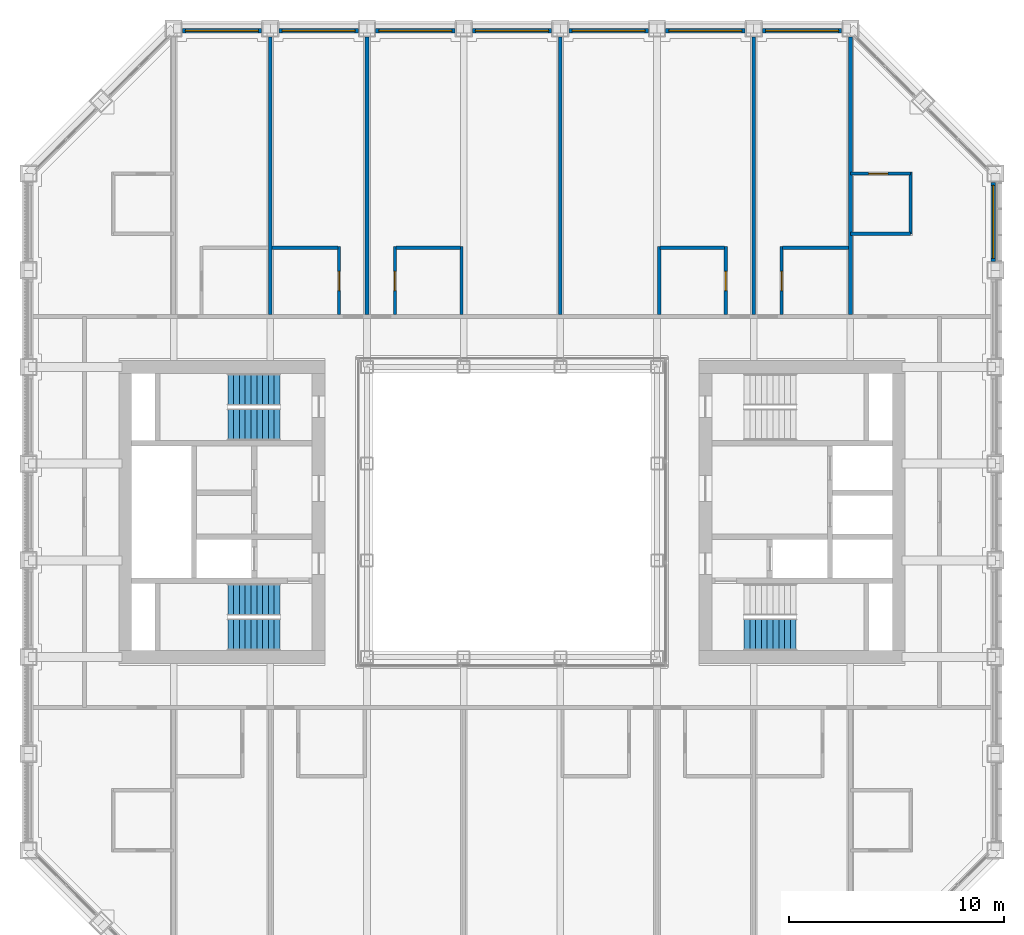
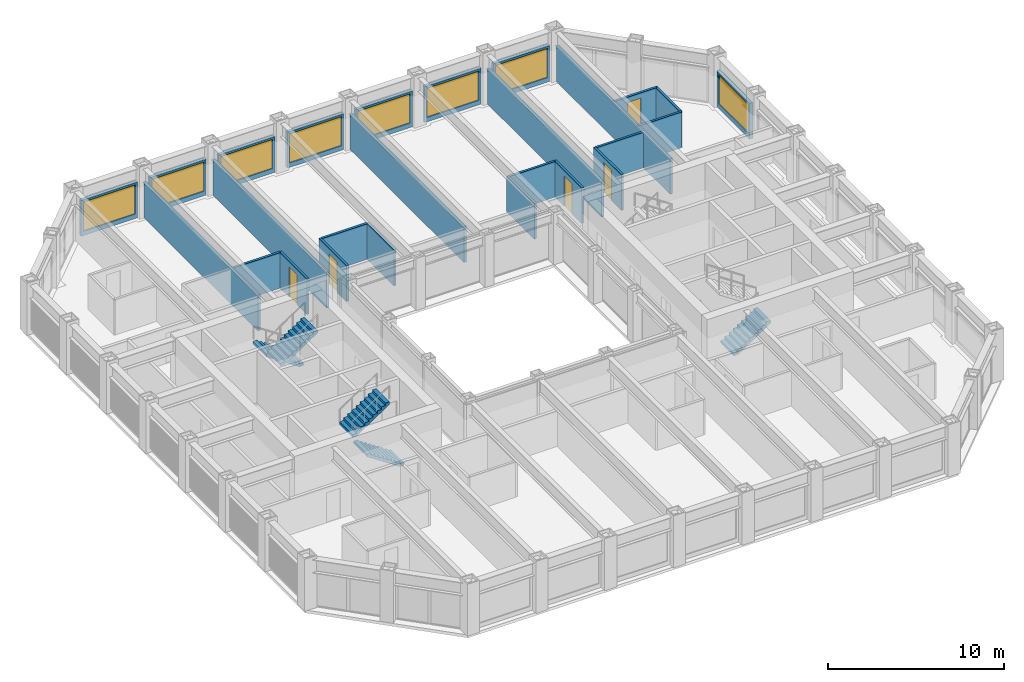
# One storey, part 13 of 17: 26 walls, 8 windows, 5 doors, 5 stair flights, 13 openings, 3 elements without a shape of their own.
"""IFC4 building model written with IfcOpenShell, lengths in metres."""

import ifcopenshell
import ifcopenshell.guid

model = None  # the IFC model being written
_history = None  # IfcOwnerHistory: only IFC2X3 demands one
_inside = {}  # id of a spatial element -> (the spatial element, [elements in it])
_under = {}  # id of a project, library or spatial element -> (it, [spatial elements below it])
_declared = {}  # id of a project -> (the project, [libraries it declares])
_typed = {}  # id of a type object -> (the type object, [elements of that type])
_made_of = {}  # id of a material, layer set ... -> (it, [elements and type objects made of it])


def new_model(schema):
    """Start an empty IFC model of exactly this schema.

    Asked for "IFC4X3", IfcOpenShell would pick the latest addendum, in which some entities
    have other attributes; the version numbers below select the first issue.
    IFC2X3 requires an IfcOwnerHistory on every rooted entity: one is made here for all.
    """
    global model, _history
    if schema == "IFC4X3":
        model = ifcopenshell.file(schema_version=(4, 3, 0, 0))
    else:
        model = ifcopenshell.file(schema=schema)
    _inside.clear()
    _under.clear()
    _declared.clear()
    _typed.clear()
    _made_of.clear()
    _history = None
    if model.schema == "IFC2X3":
        org = make("IfcOrganization", Name="unknown")
        user = make(
            "IfcPersonAndOrganization",
            ThePerson=make("IfcPerson", FamilyName="unknown"),
            TheOrganization=org,
        )
        app = make(
            "IfcApplication",
            ApplicationDeveloper=org,
            Version="unknown",
            ApplicationFullName="unknown",
            ApplicationIdentifier="unknown",
        )
        _history = make(
            "IfcOwnerHistory",
            OwningUser=user,
            OwningApplication=app,
            ChangeAction="ADDED",
            CreationDate=0,
        )
    return model


def make(cls, **values):
    """One entity of the class cls with the attributes given. An attribute that is None is left unset."""
    return model.create_entity(
        cls, **{name: value for name, value in values.items() if value is not None}
    )


def rooted(cls, **values):
    """An entity with a GlobalId (a new one), such as an element, a storey or a relation."""
    return make(cls, GlobalId=ifcopenshell.guid.new(), OwnerHistory=_history, **values)


def si_unit(unit_type, name, prefix=None):
    """IfcSIUnit, for example si_unit("LENGTHUNIT", "METRE", prefix="MILLI")."""
    return make("IfcSIUnit", UnitType=unit_type, Prefix=prefix, Name=name)


def assignment(units):
    """IfcUnitAssignment: the units of a project."""
    return None if units is None else make("IfcUnitAssignment", Units=units)


def point(xyz):
    """IfcCartesianPoint."""
    return None if xyz is None else make("IfcCartesianPoint", Coordinates=xyz)


def direction(xyz):
    """IfcDirection."""
    return None if xyz is None else make("IfcDirection", DirectionRatios=xyz)


def frame(location, z_axis=None, x_axis=None):
    """IfcAxis2Placement3D, a coordinate frame: its origin and axes. An axis left out is left unset."""
    return make(
        "IfcAxis2Placement3D",
        Location=point(location),
        Axis=direction(z_axis),
        RefDirection=direction(x_axis),
    )


def frame_2d(location, x_axis=None):
    """IfcAxis2Placement2D, a coordinate frame in the plane: its origin and x axis."""
    return make(
        "IfcAxis2Placement2D", Location=point(location), RefDirection=direction(x_axis)
    )


def origin():
    """The frame at (0, 0, 0) with its axes left unset."""
    return frame((0.0, 0.0, 0.0))


def place(relative_to, where):
    """IfcLocalPlacement: puts the frame where relative to a parent placement (None: the world)."""
    return make(
        "IfcLocalPlacement", PlacementRelTo=relative_to, RelativePlacement=where
    )


def context(
    kind, dimensions, precision=None, world=None, true_north=None, identifier=None
):
    """IfcGeometricRepresentationContext, for example the 3D "Model" context."""
    return make(
        "IfcGeometricRepresentationContext",
        ContextIdentifier=identifier,
        ContextType=kind,
        CoordinateSpaceDimension=dimensions,
        Precision=precision,
        WorldCoordinateSystem=world,
        TrueNorth=true_north,
    )


def subcontext(parent, identifier, kind, view, scale=None):
    """IfcGeometricRepresentationSubContext, for example "Body" below "Model"."""
    return make(
        "IfcGeometricRepresentationSubContext",
        ContextIdentifier=identifier,
        ContextType=kind,
        ParentContext=parent,
        TargetScale=scale,
        TargetView=view,
    )


def project(units=None, contexts=None):
    """IfcProject with its units and contexts."""
    return rooted(
        "IfcProject",
        Name="project",
        RepresentationContexts=contexts,
        UnitsInContext=assignment(units),
    )


def spatial(cls, under=None, at=None, **own):
    """A site, building, storey or space (cls), placed at a placement, below another one or the project."""
    s = rooted(cls, ObjectPlacement=at, **own)
    if under is not None:
        _under.setdefault(under.id(), (under, []))[1].append(s)
    return s


def polyline(points):
    """IfcPolyline through the points."""
    return make("IfcPolyline", Points=[point(p) for p in points])


def profile(cls, at=None, kind="AREA", **sizes):
    """A parametric profile (cls). Its sizes go by their IFC names, for example OverallWidth=200.0."""
    return make(cls, ProfileType=kind, Position=at, **sizes)


def rectangle(**sizes):
    """IfcRectangleProfileDef."""
    return profile("IfcRectangleProfileDef", **sizes)


def outline(outer, holes=None, kind="AREA"):
    """IfcArbitraryClosedProfileDef: a profile drawn as a closed curve; with holes, ...WithVoids."""
    if holes is None:
        return make("IfcArbitraryClosedProfileDef", ProfileType=kind, OuterCurve=outer)
    return make(
        "IfcArbitraryProfileDefWithVoids",
        ProfileType=kind,
        OuterCurve=outer,
        InnerCurves=holes,
    )


def extrude(swept, where, along, depth):
    """IfcExtrudedAreaSolid: the profile swept, set in the frame where, extruded along a direction by depth."""
    return make(
        "IfcExtrudedAreaSolid",
        SweptArea=swept,
        Position=where,
        ExtrudedDirection=direction(along),
        Depth=depth,
    )


def shape(context_of_items, identifier, shape_type, items):
    """IfcShapeRepresentation: the items that make up one representation, for example the "Body"."""
    return make(
        "IfcShapeRepresentation",
        ContextOfItems=context_of_items,
        RepresentationIdentifier=identifier,
        RepresentationType=shape_type,
        Items=items,
    )


def material(Name=None, Category=None):
    """IfcMaterial."""
    return make("IfcMaterial", Name=Name, Category=Category)


def layer(
    of_material, thickness, ventilated=None, Name=None, Category=None, Priority=None
):
    """IfcMaterialLayer: one layer of a wall or slab, of a material (None: an air gap)."""
    return make(
        "IfcMaterialLayer",
        Material=of_material,
        LayerThickness=thickness,
        IsVentilated=ventilated,
        Name=Name,
        Category=Category,
        Priority=Priority,
    )


def layer_set(layers, Name=None):
    """IfcMaterialLayerSet."""
    return make("IfcMaterialLayerSet", MaterialLayers=layers, LayerSetName=Name)


def made_of(thing, what):
    """Note that an element or type object is made of a material, layer set ...; save() writes the relation."""
    if what is not None:
        _made_of.setdefault(what.id(), (what, []))[1].append(thing)
    return thing


def type_object(cls, material=None, **own):
    """A type object (cls), such as IfcWallType, which elements share."""
    return made_of(rooted(cls, **own), material)


def element(
    cls,
    number,
    at=None,
    inside=None,
    cuts=None,
    type_object=None,
    material=None,
    context=None,
    identifier="Body",
    shape_type=None,
    held_by="IfcProductDefinitionShape",
    body=None,
    shapes=None,
    **own,
):
    """One element of the class cls, such as IfcWall. Its Tag is "e" and its number.

    at: its placement. inside: the storey or other place that contains it. cuts: it is an
    opening in that element (IfcRelVoidsElement). A single representation is given by context,
    identifier, shape_type and body (its items); several are given by shapes. held_by: the class
    of the entity that holds the representations. save() writes the other relations.
    """
    e = rooted(cls, Tag="e%d" % number, ObjectPlacement=at, **own)
    if body is not None:
        shapes = [shape(context, identifier, shape_type, body)]
    if shapes is not None:
        e.Representation = make(held_by, Representations=shapes)
    if inside is not None:
        _inside.setdefault(inside.id(), (inside, []))[1].append(e)
    if cuts is not None:
        rooted(
            "IfcRelVoidsElement", RelatingBuildingElement=cuts, RelatedOpeningElement=e
        )
    if type_object is not None:
        _typed.setdefault(type_object.id(), (type_object, []))[1].append(e)
    return made_of(e, material)


def fill(opening, filler):
    """IfcRelFillsElement: the door or window that sits in an opening."""
    return rooted(
        "IfcRelFillsElement",
        RelatingOpeningElement=opening,
        RelatedBuildingElement=filler,
    )


def aggregate(whole, parts):
    """IfcRelAggregates: a whole, such as a stair, and the parts it consists of."""
    return rooted("IfcRelAggregates", RelatingObject=whole, RelatedObjects=parts)


def save(model, path):
    """Write the relations noted so far, then the file.

    IfcRelAggregates (storeys below a building ...), IfcRelContainedInSpatialStructure (elements
    in a storey), IfcRelDefinesByType, IfcRelAssociatesMaterial and IfcRelDeclares: one each for
    every whole, place, type object, material and project.
    """
    for whole, parts in _under.values():
        aggregate(whole, parts)
    for where, things in _inside.values():
        rooted(
            "IfcRelContainedInSpatialStructure",
            RelatedElements=things,
            RelatingStructure=where,
        )
    for kind, things in _typed.values():
        rooted("IfcRelDefinesByType", RelatedObjects=things, RelatingType=kind)
    for what, things in _made_of.values():
        rooted("IfcRelAssociatesMaterial", RelatedObjects=things, RelatingMaterial=what)
    for by, libraries in _declared.values():
        rooted("IfcRelDeclares", RelatingContext=by, RelatedDefinitions=libraries)
    model.write(path)


model = new_model("IFC4")

# Units and contexts
model_context = context("Model", 3, precision=1e-05, world=origin(), true_north=direction((0.0, 1.0)))
body_context = subcontext(model_context, "Body", "Model", "MODEL_VIEW")
ifc_project = project(units=[si_unit("LENGTHUNIT", "METRE"), si_unit("AREAUNIT", "SQUARE_METRE"), si_unit("VOLUMEUNIT", "CUBIC_METRE"), si_unit("PLANEANGLEUNIT", "RADIAN"), si_unit("MASSUNIT", "GRAM", prefix="KILO")], contexts=[model_context])

# Site, building, storey
site_placement = place(None, origin())
site = spatial("IfcSite", under=ifc_project, at=site_placement, CompositionType="ELEMENT")
building_placement = place(site_placement, origin())
building = spatial("IfcBuilding", under=site, at=building_placement, Name="Msasa Ring Tower", CompositionType="ELEMENT")
storey_placement = place(building_placement, frame((0.0, 0.0, 129.199951171875)))
storey = spatial("IfcBuildingStorey", under=building, at=storey_placement, Name="L33", CompositionType="ELEMENT", Elevation=129.199951171875)

# Wall, opening, window
ifc_material_1 = material(Name="Terracotta rainscreen on blockwork", Category="masonry")
ifc_layer_1 = layer(ifc_material_1, 0.199951171875)
ifc_layer_set_1 = layer_set([ifc_layer_1], Name="FW1 TERRACOTTA-LINED INFILL BAY WALL 200")
wall_type_1 = type_object("IfcWallType", Name="FW1 TERRACOTTA-LINED INFILL BAY WALL 200", PredefinedType="SOLIDWALL", material=ifc_layer_set_1)
wall_1_placement = place(storey_placement, frame((22.39990234375, 11.655029296875, 0.0), z_axis=(0.0, 0.0, 1.0), x_axis=(0.0, 1.0, 0.0)))
wall_1 = element("IfcWall", 1, at=wall_1_placement, inside=storey, type_object=wall_type_1, Name="Infill bay wall E L33 15", PredefinedType="SOLIDWALL", context=body_context, shape_type="SweptSolid", body=[
    extrude(rectangle(XDim=3.68994140625, YDim=0.199951171875, at=frame_2d((1.844970703125, 0.0))), origin(), (0.0, 0.0, 1.0), 2.47900390625),
])
opening_1_placement = place(wall_1_placement, frame((0.14501953125, 0.0, 0.300048828125)))
opening_1 = element("IfcOpeningElement", 2, at=opening_1_placement, cuts=wall_1, Name="Opening WN2", PredefinedType="OPENING", context=body_context, shape_type="SweptSolid", body=[
    extrude(rectangle(XDim=3.39990234375, YDim=2.029052734375, at=frame_2d((1.699951171875, 1.0146484375))), frame((0.0, 0.10986328125, 0.0), z_axis=(0.0, -1.0, 0.0), x_axis=(1.0, 0.0, 0.0)), (0.0, 0.0, 1.0), 0.219970703125),
])
ifc_material_2 = material(Name="Aluminium frame with clear glass", Category="aluminium")
window_type = type_object("IfcWindowType", Name="WN2 GUEST ROOM WINDOW 3400x2029", PartitioningType="SINGLE_PANEL", PredefinedType="WINDOW", material=ifc_material_2)
window_1_placement = place(opening_1_placement, origin())
window_1 = element("IfcWindow", 3, at=window_1_placement, inside=storey, type_object=window_type, Name="Window E L33 15", OverallHeight=2.029052734375, OverallWidth=3.39990234375, PartitioningType="SINGLE_PANEL", PredefinedType="WINDOW", context=body_context, shape_type="SweptSolid", body=[
    extrude(rectangle(XDim=3.39990234375, YDim=2.029052734375, at=frame_2d((1.699951171875, 1.0146484375))), frame((0.0, 0.030029296875, 0.0), z_axis=(0.0, -1.0, 0.0), x_axis=(1.0, 0.0, 0.0)), (0.0, 0.0, 1.0), 0.06005859375),
])
fill(opening_1, window_1)

wall_2_placement = place(storey_placement, frame((-15.344970703125, 22.39990234375, 0.0), z_axis=(0.0, 0.0, 1.0), x_axis=(1.0, 0.0, 0.0)))
wall_2 = element("IfcWall", 4, at=wall_2_placement, inside=storey, type_object=wall_type_1, Name="Infill bay wall N L33 18", PredefinedType="SOLIDWALL", context=body_context, shape_type="SweptSolid", body=[
    extrude(rectangle(XDim=3.68994140625, YDim=0.199951171875, at=frame_2d((1.844970703125, 0.0))), origin(), (0.0, 0.0, 1.0), 2.47900390625),
])
opening_2_placement = place(wall_2_placement, frame((0.14501953125, 0.0, 0.300048828125)))
opening_2 = element("IfcOpeningElement", 5, at=opening_2_placement, cuts=wall_2, Name="Opening WN2", PredefinedType="OPENING", context=body_context, shape_type="SweptSolid", body=[
    extrude(rectangle(XDim=3.39990234375, YDim=2.029052734375, at=frame_2d((1.699951171875, 1.0146484375))), frame((0.0, 0.10986328125, 0.0), z_axis=(0.0, -1.0, 0.0), x_axis=(1.0, 0.0, 0.0)), (0.0, 0.0, 1.0), 0.219970703125),
])
window_2_placement = place(opening_2_placement, origin())
window_2 = element("IfcWindow", 6, at=window_2_placement, inside=storey, type_object=window_type, Name="Window N L33 18", OverallHeight=2.029052734375, OverallWidth=3.39990234375, PartitioningType="SINGLE_PANEL", PredefinedType="WINDOW", context=body_context, shape_type="SweptSolid", body=[
    extrude(rectangle(XDim=3.39990234375, YDim=2.029052734375, at=frame_2d((1.699951171875, 1.0146484375))), frame((0.0, 0.030029296875, 0.0), z_axis=(0.0, -1.0, 0.0), x_axis=(1.0, 0.0, 0.0)), (0.0, 0.0, 1.0), 0.06005859375),
])
fill(opening_2, window_2)

wall_3_placement = place(storey_placement, frame((-10.844970703125, 22.39990234375, 0.0), z_axis=(0.0, 0.0, 1.0), x_axis=(1.0, 0.0, 0.0)))
wall_3 = element("IfcWall", 7, at=wall_3_placement, inside=storey, type_object=wall_type_1, Name="Infill bay wall N L33 19", PredefinedType="SOLIDWALL", context=body_context, shape_type="SweptSolid", body=[
    extrude(rectangle(XDim=3.68994140625, YDim=0.199951171875, at=frame_2d((1.844970703125, 0.0))), origin(), (0.0, 0.0, 1.0), 2.47900390625),
])
opening_3_placement = place(wall_3_placement, frame((0.14501953125, 0.0, 0.300048828125)))
opening_3 = element("IfcOpeningElement", 8, at=opening_3_placement, cuts=wall_3, Name="Opening WN2", PredefinedType="OPENING", context=body_context, shape_type="SweptSolid", body=[
    extrude(rectangle(XDim=3.39990234375, YDim=2.029052734375, at=frame_2d((1.699951171875, 1.0146484375))), frame((0.0, 0.10986328125, 0.0), z_axis=(0.0, -1.0, 0.0), x_axis=(1.0, 0.0, 0.0)), (0.0, 0.0, 1.0), 0.219970703125),
])
window_3_placement = place(opening_3_placement, origin())
window_3 = element("IfcWindow", 9, at=window_3_placement, inside=storey, type_object=window_type, Name="Window N L33 19", OverallHeight=2.029052734375, OverallWidth=3.39990234375, PartitioningType="SINGLE_PANEL", PredefinedType="WINDOW", context=body_context, shape_type="SweptSolid", body=[
    extrude(rectangle(XDim=3.39990234375, YDim=2.029052734375, at=frame_2d((1.699951171875, 1.0146484375))), frame((0.0, 0.030029296875, 0.0), z_axis=(0.0, -1.0, 0.0), x_axis=(1.0, 0.0, 0.0)), (0.0, 0.0, 1.0), 0.06005859375),
])
fill(opening_3, window_3)

wall_4_placement = place(storey_placement, frame((-6.344970703125, 22.39990234375, 0.0), z_axis=(0.0, 0.0, 1.0), x_axis=(1.0, 0.0, 0.0)))
wall_4 = element("IfcWall", 10, at=wall_4_placement, inside=storey, type_object=wall_type_1, Name="Infill bay wall N L33 20", PredefinedType="SOLIDWALL", context=body_context, shape_type="SweptSolid", body=[
    extrude(rectangle(XDim=3.68994140625, YDim=0.199951171875, at=frame_2d((1.844970703125, 0.0))), origin(), (0.0, 0.0, 1.0), 2.47900390625),
])
opening_4_placement = place(wall_4_placement, frame((0.14501953125, 0.0, 0.300048828125)))
opening_4 = element("IfcOpeningElement", 11, at=opening_4_placement, cuts=wall_4, Name="Opening WN2", PredefinedType="OPENING", context=body_context, shape_type="SweptSolid", body=[
    extrude(rectangle(XDim=3.39990234375, YDim=2.029052734375, at=frame_2d((1.699951171875, 1.0146484375))), frame((0.0, 0.10986328125, 0.0), z_axis=(0.0, -1.0, 0.0), x_axis=(1.0, 0.0, 0.0)), (0.0, 0.0, 1.0), 0.219970703125),
])
window_4_placement = place(opening_4_placement, origin())
window_4 = element("IfcWindow", 12, at=window_4_placement, inside=storey, type_object=window_type, Name="Window N L33 20", OverallHeight=2.029052734375, OverallWidth=3.39990234375, PartitioningType="SINGLE_PANEL", PredefinedType="WINDOW", context=body_context, shape_type="SweptSolid", body=[
    extrude(rectangle(XDim=3.39990234375, YDim=2.029052734375, at=frame_2d((1.699951171875, 1.0146484375))), frame((0.0, 0.030029296875, 0.0), z_axis=(0.0, -1.0, 0.0), x_axis=(1.0, 0.0, 0.0)), (0.0, 0.0, 1.0), 0.06005859375),
])
fill(opening_4, window_4)

wall_5_placement = place(storey_placement, frame((-1.844970703125, 22.39990234375, 0.0), z_axis=(0.0, 0.0, 1.0), x_axis=(1.0, 0.0, 0.0)))
wall_5 = element("IfcWall", 13, at=wall_5_placement, inside=storey, type_object=wall_type_1, Name="Infill bay wall N L33 21", PredefinedType="SOLIDWALL", context=body_context, shape_type="SweptSolid", body=[
    extrude(rectangle(XDim=3.68994140625, YDim=0.199951171875, at=frame_2d((1.844970703125, 0.0))), origin(), (0.0, 0.0, 1.0), 2.47900390625),
])
opening_5_placement = place(wall_5_placement, frame((0.14501953125, 0.0, 0.300048828125)))
opening_5 = element("IfcOpeningElement", 14, at=opening_5_placement, cuts=wall_5, Name="Opening WN2", PredefinedType="OPENING", context=body_context, shape_type="SweptSolid", body=[
    extrude(rectangle(XDim=3.39990234375, YDim=2.029052734375, at=frame_2d((1.699951171875, 1.0146484375))), frame((0.0, 0.10986328125, 0.0), z_axis=(0.0, -1.0, 0.0), x_axis=(1.0, 0.0, 0.0)), (0.0, 0.0, 1.0), 0.219970703125),
])
window_5_placement = place(opening_5_placement, origin())
window_5 = element("IfcWindow", 15, at=window_5_placement, inside=storey, type_object=window_type, Name="Window N L33 21", OverallHeight=2.029052734375, OverallWidth=3.39990234375, PartitioningType="SINGLE_PANEL", PredefinedType="WINDOW", context=body_context, shape_type="SweptSolid", body=[
    extrude(rectangle(XDim=3.39990234375, YDim=2.029052734375, at=frame_2d((1.699951171875, 1.0146484375))), frame((0.0, 0.030029296875, 0.0), z_axis=(0.0, -1.0, 0.0), x_axis=(1.0, 0.0, 0.0)), (0.0, 0.0, 1.0), 0.06005859375),
])
fill(opening_5, window_5)

wall_6_placement = place(storey_placement, frame((2.655029296875, 22.39990234375, 0.0), z_axis=(0.0, 0.0, 1.0), x_axis=(1.0, 0.0, 0.0)))
wall_6 = element("IfcWall", 16, at=wall_6_placement, inside=storey, type_object=wall_type_1, Name="Infill bay wall N L33 22", PredefinedType="SOLIDWALL", context=body_context, shape_type="SweptSolid", body=[
    extrude(rectangle(XDim=3.68994140625, YDim=0.199951171875, at=frame_2d((1.844970703125, 0.0))), origin(), (0.0, 0.0, 1.0), 2.47900390625),
])
opening_6_placement = place(wall_6_placement, frame((0.14501953125, 0.0, 0.300048828125)))
opening_6 = element("IfcOpeningElement", 17, at=opening_6_placement, cuts=wall_6, Name="Opening WN2", PredefinedType="OPENING", context=body_context, shape_type="SweptSolid", body=[
    extrude(rectangle(XDim=3.39990234375, YDim=2.029052734375, at=frame_2d((1.699951171875, 1.0146484375))), frame((0.0, 0.10986328125, 0.0), z_axis=(0.0, -1.0, 0.0), x_axis=(1.0, 0.0, 0.0)), (0.0, 0.0, 1.0), 0.219970703125),
])
window_6_placement = place(opening_6_placement, origin())
window_6 = element("IfcWindow", 18, at=window_6_placement, inside=storey, type_object=window_type, Name="Window N L33 22", OverallHeight=2.029052734375, OverallWidth=3.39990234375, PartitioningType="SINGLE_PANEL", PredefinedType="WINDOW", context=body_context, shape_type="SweptSolid", body=[
    extrude(rectangle(XDim=3.39990234375, YDim=2.029052734375, at=frame_2d((1.699951171875, 1.0146484375))), frame((0.0, 0.030029296875, 0.0), z_axis=(0.0, -1.0, 0.0), x_axis=(1.0, 0.0, 0.0)), (0.0, 0.0, 1.0), 0.06005859375),
])
fill(opening_6, window_6)

wall_7_placement = place(storey_placement, frame((7.155029296875, 22.39990234375, 0.0), z_axis=(0.0, 0.0, 1.0), x_axis=(1.0, 0.0, 0.0)))
wall_7 = element("IfcWall", 19, at=wall_7_placement, inside=storey, type_object=wall_type_1, Name="Infill bay wall N L33 23", PredefinedType="SOLIDWALL", context=body_context, shape_type="SweptSolid", body=[
    extrude(rectangle(XDim=3.68994140625, YDim=0.199951171875, at=frame_2d((1.844970703125, 0.0))), origin(), (0.0, 0.0, 1.0), 2.47900390625),
])
opening_7_placement = place(wall_7_placement, frame((0.14501953125, 0.0, 0.300048828125)))
opening_7 = element("IfcOpeningElement", 20, at=opening_7_placement, cuts=wall_7, Name="Opening WN2", PredefinedType="OPENING", context=body_context, shape_type="SweptSolid", body=[
    extrude(rectangle(XDim=3.39990234375, YDim=2.029052734375, at=frame_2d((1.699951171875, 1.0146484375))), frame((0.0, 0.10986328125, 0.0), z_axis=(0.0, -1.0, 0.0), x_axis=(1.0, 0.0, 0.0)), (0.0, 0.0, 1.0), 0.219970703125),
])
window_7_placement = place(opening_7_placement, origin())
window_7 = element("IfcWindow", 21, at=window_7_placement, inside=storey, type_object=window_type, Name="Window N L33 23", OverallHeight=2.029052734375, OverallWidth=3.39990234375, PartitioningType="SINGLE_PANEL", PredefinedType="WINDOW", context=body_context, shape_type="SweptSolid", body=[
    extrude(rectangle(XDim=3.39990234375, YDim=2.029052734375, at=frame_2d((1.699951171875, 1.0146484375))), frame((0.0, 0.030029296875, 0.0), z_axis=(0.0, -1.0, 0.0), x_axis=(1.0, 0.0, 0.0)), (0.0, 0.0, 1.0), 0.06005859375),
])
fill(opening_7, window_7)

wall_8_placement = place(storey_placement, frame((11.655029296875, 22.39990234375, 0.0), z_axis=(0.0, 0.0, 1.0), x_axis=(1.0, 0.0, 0.0)))
wall_8 = element("IfcWall", 22, at=wall_8_placement, inside=storey, type_object=wall_type_1, Name="Infill bay wall N L33 24", PredefinedType="SOLIDWALL", context=body_context, shape_type="SweptSolid", body=[
    extrude(rectangle(XDim=3.68994140625, YDim=0.199951171875, at=frame_2d((1.844970703125, 0.0))), origin(), (0.0, 0.0, 1.0), 2.47900390625),
])
opening_8_placement = place(wall_8_placement, frame((0.14501953125, 0.0, 0.300048828125)))
opening_8 = element("IfcOpeningElement", 23, at=opening_8_placement, cuts=wall_8, Name="Opening WN2", PredefinedType="OPENING", context=body_context, shape_type="SweptSolid", body=[
    extrude(rectangle(XDim=3.39990234375, YDim=2.029052734375, at=frame_2d((1.699951171875, 1.0146484375))), frame((0.0, 0.10986328125, 0.0), z_axis=(0.0, -1.0, 0.0), x_axis=(1.0, 0.0, 0.0)), (0.0, 0.0, 1.0), 0.219970703125),
])
window_8_placement = place(opening_8_placement, origin())
window_8 = element("IfcWindow", 24, at=window_8_placement, inside=storey, type_object=window_type, Name="Window N L33 24", OverallHeight=2.029052734375, OverallWidth=3.39990234375, PartitioningType="SINGLE_PANEL", PredefinedType="WINDOW", context=body_context, shape_type="SweptSolid", body=[
    extrude(rectangle(XDim=3.39990234375, YDim=2.029052734375, at=frame_2d((1.699951171875, 1.0146484375))), frame((0.0, 0.030029296875, 0.0), z_axis=(0.0, -1.0, 0.0), x_axis=(1.0, 0.0, 0.0)), (0.0, 0.0, 1.0), 0.06005859375),
])
fill(opening_8, window_8)

# Wall, opening, door
ifc_material_3 = material(Name="Moisture-resistant board on steel studs with a concealed cistern and pipe void, tiled", Category="steel")
ifc_layer_2 = layer(ifc_material_3, 0.14990234375)
ifc_layer_set_2 = layer_set([ifc_layer_2], Name="PT4 BATHROOM WET WALL 150")
wall_type_2 = type_object("IfcWallType", Name="PT4 BATHROOM WET WALL 150", PredefinedType="PARTITIONING", material=ifc_layer_set_2)
wall_9_placement = place(storey_placement, frame((-8.050048828125, 9.199951171875, 0.0), z_axis=(0.0, 0.0, 1.0), x_axis=(0.0, 1.0, 0.0)))
wall_9 = element("IfcWall", 25, at=wall_9_placement, inside=storey, type_object=wall_type_2, Name="Partition L33-GN01BX", PredefinedType="PARTITIONING", context=body_context, shape_type="SweptSolid", body=[
    extrude(rectangle(XDim=3.150146484375, YDim=0.14990234375, at=frame_2d((1.5751953125, 0.0))), origin(), (0.0, 0.0, 1.0), 2.473388671875),
])
opening_9_placement = place(wall_9_placement, frame((1.10009765625, 0.0, 0.0)))
opening_9 = element("IfcOpeningElement", 26, at=opening_9_placement, cuts=wall_9, Name="Opening HB-004", PredefinedType="OPENING", context=body_context, shape_type="SweptSolid", body=[
    extrude(rectangle(XDim=0.89990234375, YDim=2.10009765625, at=frame_2d((0.449951171875, 1.050048828125))), frame((0.0, 0.0849609375, 0.0), z_axis=(0.0, -1.0, 0.0), x_axis=(1.0, 0.0, 0.0)), (0.0, 0.0, 1.0), 0.169921875),
])
ifc_material_4 = material(Name="Timber door leaf in a steel frame", Category="steel")
door_type = type_object("IfcDoorType", Name="D3 BATHROOM DOOR 900x2100", OperationType="SINGLE_SWING_LEFT", PredefinedType="DOOR", material=ifc_material_4)
door_1_placement = place(opening_9_placement, origin())
door_1 = element("IfcDoor", 27, at=door_1_placement, inside=storey, type_object=door_type, Name="Door L33-GN01B", OperationType="SINGLE_SWING_LEFT", OverallHeight=2.10009765625, OverallWidth=0.89990234375, PredefinedType="DOOR", context=body_context, shape_type="SweptSolid", body=[
    extrude(rectangle(XDim=0.89990234375, YDim=2.10009765625, at=frame_2d((0.449951171875, 1.050048828125))), frame((0.0, 0.02490234375, 0.0), z_axis=(0.0, -1.0, 0.0), x_axis=(1.0, 0.0, 0.0)), (0.0, 0.0, 1.0), 0.050048828125),
])
fill(opening_9, door_1)

# Wall
wall_10_placement = place(storey_placement, frame((-11.16259765625, 12.300048828125, 0.0), z_axis=(0.0, 0.0, 1.0), x_axis=(1.0, 0.0, 0.0)))
element("IfcWall", 28, at=wall_10_placement, inside=storey, type_object=wall_type_2, Name="Partition L33-GN01BY", PredefinedType="PARTITIONING", context=body_context, shape_type="SweptSolid", body=[
    extrude(rectangle(XDim=3.0625, YDim=0.14990234375, at=frame_2d((1.53125, 0.0))), origin(), (0.0, 0.0, 1.0), 2.473388671875),
])

# Wall, opening, door
wall_11_placement = place(storey_placement, frame((-5.449951171875, 9.199951171875, 0.0), z_axis=(0.0, 0.0, 1.0), x_axis=(0.0, 1.0, 0.0)))
wall_11 = element("IfcWall", 29, at=wall_11_placement, inside=storey, type_object=wall_type_2, Name="Partition L33-GN02BX", PredefinedType="PARTITIONING", context=body_context, shape_type="SweptSolid", body=[
    extrude(rectangle(XDim=3.150146484375, YDim=0.14990234375, at=frame_2d((1.5751953125, 0.0))), origin(), (0.0, 0.0, 1.0), 2.473388671875),
])
opening_10_placement = place(wall_11_placement, frame((1.10009765625, 0.0, 0.0)))
opening_10 = element("IfcOpeningElement", 30, at=opening_10_placement, cuts=wall_11, Name="Opening HB-005", PredefinedType="OPENING", context=body_context, shape_type="SweptSolid", body=[
    extrude(rectangle(XDim=0.89990234375, YDim=2.10009765625, at=frame_2d((0.449951171875, 1.050048828125))), frame((0.0, 0.0849609375, 0.0), z_axis=(0.0, -1.0, 0.0), x_axis=(1.0, 0.0, 0.0)), (0.0, 0.0, 1.0), 0.169921875),
])
door_2_placement = place(opening_10_placement, origin())
door_2 = element("IfcDoor", 31, at=door_2_placement, inside=storey, type_object=door_type, Name="Door L33-GN02B", OperationType="SINGLE_SWING_LEFT", OverallHeight=2.10009765625, OverallWidth=0.89990234375, PredefinedType="DOOR", context=body_context, shape_type="SweptSolid", body=[
    extrude(rectangle(XDim=0.89990234375, YDim=2.10009765625, at=frame_2d((0.449951171875, 1.050048828125))), frame((0.0, 0.02490234375, 0.0), z_axis=(0.0, -1.0, 0.0), x_axis=(1.0, 0.0, 0.0)), (0.0, 0.0, 1.0), 0.050048828125),
])
fill(opening_10, door_2)

# Walls
wall_12_placement = place(storey_placement, frame((-2.35009765625, 9.199951171875, 0.0), z_axis=(0.0, 0.0, 1.0), x_axis=(0.0, 1.0, 0.0)))
element("IfcWall", 32, at=wall_12_placement, inside=storey, type_object=wall_type_2, Name="Partition L33-GN02BF", PredefinedType="PARTITIONING", context=body_context, shape_type="SweptSolid", body=[
    extrude(rectangle(XDim=3.150146484375, YDim=0.14990234375, at=frame_2d((1.5751953125, 0.0))), origin(), (0.0, 0.0, 1.0), 2.473388671875),
])
wall_13_placement = place(storey_placement, frame((-5.39990234375, 12.300048828125, 0.0), z_axis=(0.0, 0.0, 1.0), x_axis=(1.0, 0.0, 0.0)))
element("IfcWall", 33, at=wall_13_placement, inside=storey, type_object=wall_type_2, Name="Partition L33-GN02BY", PredefinedType="PARTITIONING", context=body_context, shape_type="SweptSolid", body=[
    extrude(rectangle(XDim=3.0, YDim=0.14990234375, at=frame_2d((1.5, 0.0))), origin(), (0.0, 0.0, 1.0), 2.473388671875),
])

# Wall, opening, door
wall_14_placement = place(storey_placement, frame((9.949951171875, 9.199951171875, 0.0), z_axis=(0.0, 0.0, 1.0), x_axis=(0.0, 1.0, 0.0)))
wall_14 = element("IfcWall", 34, at=wall_14_placement, inside=storey, type_object=wall_type_2, Name="Partition L33-GN03BX", PredefinedType="PARTITIONING", context=body_context, shape_type="SweptSolid", body=[
    extrude(rectangle(XDim=3.150146484375, YDim=0.14990234375, at=frame_2d((1.5751953125, 0.0))), origin(), (0.0, 0.0, 1.0), 2.473388671875),
])
opening_11_placement = place(wall_14_placement, frame((1.10009765625, 0.0, 0.0)))
opening_11 = element("IfcOpeningElement", 35, at=opening_11_placement, cuts=wall_14, Name="Opening HB-006", PredefinedType="OPENING", context=body_context, shape_type="SweptSolid", body=[
    extrude(rectangle(XDim=0.89990234375, YDim=2.10009765625, at=frame_2d((0.449951171875, 1.050048828125))), frame((0.0, 0.0849609375, 0.0), z_axis=(0.0, -1.0, 0.0), x_axis=(1.0, 0.0, 0.0)), (0.0, 0.0, 1.0), 0.169921875),
])
door_3_placement = place(opening_11_placement, origin())
door_3 = element("IfcDoor", 36, at=door_3_placement, inside=storey, type_object=door_type, Name="Door L33-GN03B", OperationType="SINGLE_SWING_LEFT", OverallHeight=2.10009765625, OverallWidth=0.89990234375, PredefinedType="DOOR", context=body_context, shape_type="SweptSolid", body=[
    extrude(rectangle(XDim=0.89990234375, YDim=2.10009765625, at=frame_2d((0.449951171875, 1.050048828125))), frame((0.0, 0.02490234375, 0.0), z_axis=(0.0, -1.0, 0.0), x_axis=(1.0, 0.0, 0.0)), (0.0, 0.0, 1.0), 0.050048828125),
])
fill(opening_11, door_3)

# Walls
wall_15_placement = place(storey_placement, frame((6.85009765625, 9.199951171875, 0.0), z_axis=(0.0, 0.0, 1.0), x_axis=(0.0, 1.0, 0.0)))
element("IfcWall", 37, at=wall_15_placement, inside=storey, type_object=wall_type_2, Name="Partition L33-GN03BF", PredefinedType="PARTITIONING", context=body_context, shape_type="SweptSolid", body=[
    extrude(rectangle(XDim=3.150146484375, YDim=0.14990234375, at=frame_2d((1.5751953125, 0.0))), origin(), (0.0, 0.0, 1.0), 2.473388671875),
])
wall_16_placement = place(storey_placement, frame((6.89990234375, 12.300048828125, 0.0), z_axis=(0.0, 0.0, 1.0), x_axis=(1.0, 0.0, 0.0)))
element("IfcWall", 38, at=wall_16_placement, inside=storey, type_object=wall_type_2, Name="Partition L33-GN03BY", PredefinedType="PARTITIONING", context=body_context, shape_type="SweptSolid", body=[
    extrude(rectangle(XDim=3.0, YDim=0.14990234375, at=frame_2d((1.5, 0.0))), origin(), (0.0, 0.0, 1.0), 2.473388671875),
])

# Wall, opening, door
wall_17_placement = place(storey_placement, frame((12.550048828125, 9.199951171875, 0.0), z_axis=(0.0, 0.0, 1.0), x_axis=(0.0, 1.0, 0.0)))
wall_17 = element("IfcWall", 39, at=wall_17_placement, inside=storey, type_object=wall_type_2, Name="Partition L33-GN04BX", PredefinedType="PARTITIONING", context=body_context, shape_type="SweptSolid", body=[
    extrude(rectangle(XDim=3.150146484375, YDim=0.14990234375, at=frame_2d((1.5751953125, 0.0))), origin(), (0.0, 0.0, 1.0), 2.473388671875),
])
opening_12_placement = place(wall_17_placement, frame((1.10009765625, 0.0, 0.0)))
opening_12 = element("IfcOpeningElement", 40, at=opening_12_placement, cuts=wall_17, Name="Opening HB-007", PredefinedType="OPENING", context=body_context, shape_type="SweptSolid", body=[
    extrude(rectangle(XDim=0.89990234375, YDim=2.10009765625, at=frame_2d((0.449951171875, 1.050048828125))), frame((0.0, 0.0849609375, 0.0), z_axis=(0.0, -1.0, 0.0), x_axis=(1.0, 0.0, 0.0)), (0.0, 0.0, 1.0), 0.169921875),
])
door_4_placement = place(opening_12_placement, origin())
door_4 = element("IfcDoor", 41, at=door_4_placement, inside=storey, type_object=door_type, Name="Door L33-GN04B", OperationType="SINGLE_SWING_LEFT", OverallHeight=2.10009765625, OverallWidth=0.89990234375, PredefinedType="DOOR", context=body_context, shape_type="SweptSolid", body=[
    extrude(rectangle(XDim=0.89990234375, YDim=2.10009765625, at=frame_2d((0.449951171875, 1.050048828125))), frame((0.0, 0.02490234375, 0.0), z_axis=(0.0, -1.0, 0.0), x_axis=(1.0, 0.0, 0.0)), (0.0, 0.0, 1.0), 0.050048828125),
])
fill(opening_12, door_4)

# Walls
wall_18_placement = place(storey_placement, frame((12.60009765625, 12.300048828125, 0.0), z_axis=(0.0, 0.0, 1.0), x_axis=(1.0, 0.0, 0.0)))
element("IfcWall", 42, at=wall_18_placement, inside=storey, type_object=wall_type_2, Name="Partition L33-GN04BY", PredefinedType="PARTITIONING", context=body_context, shape_type="SweptSolid", body=[
    extrude(rectangle(XDim=3.0625, YDim=0.14990234375, at=frame_2d((1.53125, 0.0))), origin(), (0.0, 0.0, 1.0), 2.473388671875),
])
wall_19_placement = place(storey_placement, frame((18.550048828125, 12.949951171875, 0.0), z_axis=(0.0, 0.0, 1.0), x_axis=(0.0, 1.0, 0.0)))
element("IfcWall", 43, at=wall_19_placement, inside=storey, type_object=wall_type_2, Name="Partition L33-CSNEBX", PredefinedType="PARTITIONING", context=body_context, shape_type="SweptSolid", body=[
    extrude(rectangle(XDim=2.875, YDim=0.14990234375, at=frame_2d((1.4375, 0.0))), origin(), (0.0, 0.0, 1.0), 2.473388671875),
])
wall_20_placement = place(storey_placement, frame((15.75, 12.949951171875, 0.0), z_axis=(0.0, 0.0, 1.0), x_axis=(1.0, 0.0, 0.0)))
element("IfcWall", 44, at=wall_20_placement, inside=storey, type_object=wall_type_2, Name="Partition L33-CSNEBY", PredefinedType="PARTITIONING", context=body_context, shape_type="SweptSolid", body=[
    extrude(rectangle(XDim=2.800048828125, YDim=0.14990234375, at=frame_2d((1.39990234375, 0.0))), origin(), (0.0, 0.0, 1.0), 2.473388671875),
])

# Wall, opening, door
wall_21_placement = place(storey_placement, frame((15.75, 15.75, 0.0), z_axis=(0.0, 0.0, 1.0), x_axis=(1.0, 0.0, 0.0)))
wall_21 = element("IfcWall", 45, at=wall_21_placement, inside=storey, type_object=wall_type_2, Name="Partition L33-CSNEBZ", PredefinedType="PARTITIONING", context=body_context, shape_type="SweptSolid", body=[
    extrude(rectangle(XDim=2.800048828125, YDim=0.14990234375, at=frame_2d((1.39990234375, 0.0))), origin(), (0.0, 0.0, 1.0), 2.473388671875),
])
opening_13_placement = place(wall_21_placement, frame((0.85009765625, 0.0, 0.0)))
opening_13 = element("IfcOpeningElement", 46, at=opening_13_placement, cuts=wall_21, Name="Opening HB-002", PredefinedType="OPENING", context=body_context, shape_type="SweptSolid", body=[
    extrude(rectangle(XDim=0.89990234375, YDim=2.10009765625, at=frame_2d((0.449951171875, 1.050048828125))), frame((0.0, 0.0849609375, 0.0), z_axis=(0.0, -1.0, 0.0), x_axis=(1.0, 0.0, 0.0)), (0.0, 0.0, 1.0), 0.169921875),
])
door_5_placement = place(opening_13_placement, origin())
door_5 = element("IfcDoor", 47, at=door_5_placement, inside=storey, type_object=door_type, Name="Door L33-CSNEB1", OperationType="SINGLE_SWING_LEFT", OverallHeight=2.10009765625, OverallWidth=0.89990234375, PredefinedType="DOOR", context=body_context, shape_type="SweptSolid", body=[
    extrude(rectangle(XDim=0.89990234375, YDim=2.10009765625, at=frame_2d((0.449951171875, 1.050048828125))), frame((0.0, 0.02490234375, 0.0), z_axis=(0.0, -1.0, 0.0), x_axis=(1.0, 0.0, 0.0)), (0.0, 0.0, 1.0), 0.050048828125),
])
fill(opening_13, door_5)

# Walls
ifc_material_5 = material(Name="Twin steel studs, two layers of acoustic board each face, mineral wool", Category="steel")
ifc_layer_3 = layer(ifc_material_5, 0.175048828125)
ifc_layer_set_3 = layer_set([ifc_layer_3], Name="PT5 GUEST ROOM SEPARATING WALL 175")
wall_type_3 = type_object("IfcWallType", Name="PT5 GUEST ROOM SEPARATING WALL 175", PredefinedType="PARTITIONING", material=ifc_layer_set_3)
for number, where, z_axis, x_axis, name in (
    (48, (-11.25, 9.199951171875, 0.0), (0.0, 0.0, 1.0), (0.0, 1.0, 0.0), "Partition L33-PWN-11.25"),
    (49, (-6.75, 9.199951171875, 0.0), (0.0, 0.0, 1.0), (0.0, 1.0, 0.0), "Partition L33-PWN-6.75"),
    (50, (2.25, 9.199951171875, 0.0), (0.0, 0.0, 1.0), (0.0, 1.0, 0.0), "Partition L33-PWN+2.25"),
    (51, (11.25, 9.199951171875, 0.0), (0.0, 0.0, 1.0), (0.0, 1.0, 0.0), "Partition L33-PWN+11.25"),
    (52, (15.75, 9.199951171875, 0.0), (0.0, 0.0, 1.0), (0.0, 1.0, 0.0), "Partition L33-PWN+15.75"),
):
    element("IfcWall", number, at=place(storey_placement, frame(where, z_axis=z_axis, x_axis=x_axis)), inside=storey, type_object=wall_type_3, Name=name, PredefinedType="PARTITIONING", context=body_context, shape_type="SweptSolid", body=[
        extrude(rectangle(XDim=12.900146484375, YDim=0.175048828125, at=frame_2d((6.4501953125, 0.0))), origin(), (0.0, 0.0, 1.0), 2.473388671875),
    ])

# Stair, stair flight
ifc_material_6 = material(Name="Concrete C40/50", Category="concrete")
stair_type = type_object("IfcStairType", Name="STC CORE STAIR 20 RISERS 180", PredefinedType="HALF_TURN_STAIR", material=ifc_material_6)
stair_1_placement = place(storey_placement, origin())
stair_1 = element("IfcStair", 53, at=stair_1_placement, inside=storey, type_object=stair_type, Name="Core stair SEA L33", PredefinedType="HALF_TURN_STAIR")
ifc_material_7 = material(Name="Concrete C40/50", Category="concrete")
stair_flight_type = type_object("IfcStairFlightType", Name="ST14 CORE STAIR FLIGHT 1500 10 RISERS 180", PredefinedType="STRAIGHT", material=ifc_material_7)
stair_flight_1_placement = place(storey_placement, frame((10.800048828125, -5.699951171875, 0.0), z_axis=(0.0, 0.0, 1.0), x_axis=(1.0, 0.0, 0.0)))
stair_flight_1 = element("IfcStairFlight", 54, at=stair_flight_1_placement, type_object=stair_flight_type, Name="SEA flight 1", NumberOfRisers=10, NumberOfTreads=9, PredefinedType="STRAIGHT", RiserHeight=0.18, TreadLength=0.27, context=body_context, shape_type="SweptSolid", body=[
    extrude(outline(polyline([(0.0, 0.0), (0.0, 0.179931640625), (0.27001953125, 0.179931640625), (0.27001953125, 0.360107421875), (0.5400390625, 0.360107421875), (0.5400390625, 0.5400390625), (0.81005859375, 0.5400390625), (0.81005859375, 0.719970703125), (1.080078125, 0.719970703125), (1.080078125, 0.89990234375), (1.35009765625, 0.89990234375), (1.35009765625, 1.080078125), (1.6201171875, 1.080078125), (1.6201171875, 1.260009765625), (1.889892578125, 1.260009765625), (1.889892578125, 1.43994140625), (2.159912109375, 1.43994140625), (2.159912109375, 1.6201171875), (2.429931640625, 1.6201171875), (2.429931640625, 1.800048828125), (2.429931640625, 1.43994140625), (0.270263671875, 0.0), (0.0, 0.0)])), frame((0.0, 0.75, 0.0), z_axis=(0.0, -1.0, 0.0), x_axis=(1.0, 0.0, 0.0)), (0.0, 0.0, 1.0), 1.5),
])
aggregate(stair_1, [stair_flight_1])

# Stair, stair flights
stair_2_placement = place(storey_placement, origin())
stair_2 = element("IfcStair", 55, at=stair_2_placement, inside=storey, type_object=stair_type, Name="Core stair SWA L33", PredefinedType="HALF_TURN_STAIR")
stair_flight_2_placement = place(storey_placement, frame((-10.800048828125, -5.699951171875, 0.0), z_axis=(0.0, 0.0, 1.0), x_axis=(-1.0, 0.0, 0.0)))
stair_flight_2 = element("IfcStairFlight", 56, at=stair_flight_2_placement, type_object=stair_flight_type, Name="SWA flight 1", NumberOfRisers=10, NumberOfTreads=9, PredefinedType="STRAIGHT", RiserHeight=0.18, TreadLength=0.27, context=body_context, shape_type="SweptSolid", body=[
    extrude(outline(polyline([(0.0, 0.0), (0.0, 0.179931640625), (0.27001953125, 0.179931640625), (0.27001953125, 0.360107421875), (0.5400390625, 0.360107421875), (0.5400390625, 0.5400390625), (0.81005859375, 0.5400390625), (0.81005859375, 0.719970703125), (1.080078125, 0.719970703125), (1.080078125, 0.89990234375), (1.35009765625, 0.89990234375), (1.35009765625, 1.080078125), (1.6201171875, 1.080078125), (1.6201171875, 1.260009765625), (1.889892578125, 1.260009765625), (1.889892578125, 1.43994140625), (2.159912109375, 1.43994140625), (2.159912109375, 1.6201171875), (2.429931640625, 1.6201171875), (2.429931640625, 1.800048828125), (2.429931640625, 1.43994140625), (0.270263671875, 0.0), (0.0, 0.0)])), frame((0.0, 0.75, 0.0), z_axis=(0.0, -1.0, 0.0), x_axis=(1.0, 0.0, 0.0)), (0.0, 0.0, 1.0), 1.5),
])
stair_flight_3_placement = place(storey_placement, frame((-13.22998046875, -4.074951171875, 1.800048828125), z_axis=(0.0, 0.0, 1.0), x_axis=(1.0, 0.0, 0.0)))
stair_flight_3 = element("IfcStairFlight", 57, at=stair_flight_3_placement, type_object=stair_flight_type, Name="SWA flight 2", NumberOfRisers=10, NumberOfTreads=9, PredefinedType="STRAIGHT", RiserHeight=0.18, TreadLength=0.27, context=body_context, shape_type="SweptSolid", body=[
    extrude(outline(polyline([(0.0, 0.0), (0.0, 0.179931640625), (0.27001953125, 0.179931640625), (0.27001953125, 0.360107421875), (0.5400390625, 0.360107421875), (0.5400390625, 0.5400390625), (0.81005859375, 0.5400390625), (0.81005859375, 0.719970703125), (1.080078125, 0.719970703125), (1.080078125, 0.89990234375), (1.35009765625, 0.89990234375), (1.35009765625, 1.080078125), (1.6201171875, 1.080078125), (1.6201171875, 1.260009765625), (1.889892578125, 1.260009765625), (1.889892578125, 1.43994140625), (2.159912109375, 1.43994140625), (2.159912109375, 1.6201171875), (2.429931640625, 1.6201171875), (2.429931640625, 1.800048828125), (2.429931640625, 1.43994140625), (0.270263671875, 0.0), (0.0, 0.0)])), frame((0.0, 0.75, 0.0), z_axis=(0.0, -1.0, 0.0), x_axis=(1.0, 0.0, 0.0)), (0.0, 0.0, 1.0), 1.5),
])
aggregate(stair_2, [stair_flight_2, stair_flight_3])

stair_3_placement = place(storey_placement, origin())
stair_3 = element("IfcStair", 58, at=stair_3_placement, inside=storey, type_object=stair_type, Name="Core stair SWB L33", PredefinedType="HALF_TURN_STAIR")
stair_flight_4_placement = place(storey_placement, frame((-10.800048828125, 5.699951171875, 0.0), z_axis=(0.0, 0.0, 1.0), x_axis=(-1.0, 0.0, 0.0)))
stair_flight_4 = element("IfcStairFlight", 59, at=stair_flight_4_placement, type_object=stair_flight_type, Name="SWB flight 1", NumberOfRisers=10, NumberOfTreads=9, PredefinedType="STRAIGHT", RiserHeight=0.18, TreadLength=0.27, context=body_context, shape_type="SweptSolid", body=[
    extrude(outline(polyline([(0.0, 0.0), (0.0, 0.179931640625), (0.27001953125, 0.179931640625), (0.27001953125, 0.360107421875), (0.5400390625, 0.360107421875), (0.5400390625, 0.5400390625), (0.81005859375, 0.5400390625), (0.81005859375, 0.719970703125), (1.080078125, 0.719970703125), (1.080078125, 0.89990234375), (1.35009765625, 0.89990234375), (1.35009765625, 1.080078125), (1.6201171875, 1.080078125), (1.6201171875, 1.260009765625), (1.889892578125, 1.260009765625), (1.889892578125, 1.43994140625), (2.159912109375, 1.43994140625), (2.159912109375, 1.6201171875), (2.429931640625, 1.6201171875), (2.429931640625, 1.800048828125), (2.429931640625, 1.43994140625), (0.270263671875, 0.0), (0.0, 0.0)])), frame((0.0, 0.75, 0.0), z_axis=(0.0, -1.0, 0.0), x_axis=(1.0, 0.0, 0.0)), (0.0, 0.0, 1.0), 1.5),
])
stair_flight_5_placement = place(storey_placement, frame((-13.22998046875, 4.074951171875, 1.800048828125), z_axis=(0.0, 0.0, 1.0), x_axis=(1.0, 0.0, 0.0)))
stair_flight_5 = element("IfcStairFlight", 60, at=stair_flight_5_placement, type_object=stair_flight_type, Name="SWB flight 2", NumberOfRisers=10, NumberOfTreads=9, PredefinedType="STRAIGHT", RiserHeight=0.18, TreadLength=0.27, context=body_context, shape_type="SweptSolid", body=[
    extrude(outline(polyline([(0.0, 0.0), (0.0, 0.179931640625), (0.27001953125, 0.179931640625), (0.27001953125, 0.360107421875), (0.5400390625, 0.360107421875), (0.5400390625, 0.5400390625), (0.81005859375, 0.5400390625), (0.81005859375, 0.719970703125), (1.080078125, 0.719970703125), (1.080078125, 0.89990234375), (1.35009765625, 0.89990234375), (1.35009765625, 1.080078125), (1.6201171875, 1.080078125), (1.6201171875, 1.260009765625), (1.889892578125, 1.260009765625), (1.889892578125, 1.43994140625), (2.159912109375, 1.43994140625), (2.159912109375, 1.6201171875), (2.429931640625, 1.6201171875), (2.429931640625, 1.800048828125), (2.429931640625, 1.43994140625), (0.270263671875, 0.0), (0.0, 0.0)])), frame((0.0, 0.75, 0.0), z_axis=(0.0, -1.0, 0.0), x_axis=(1.0, 0.0, 0.0)), (0.0, 0.0, 1.0), 1.5),
])
aggregate(stair_3, [stair_flight_4, stair_flight_5])

save(model, "model.ifc")
